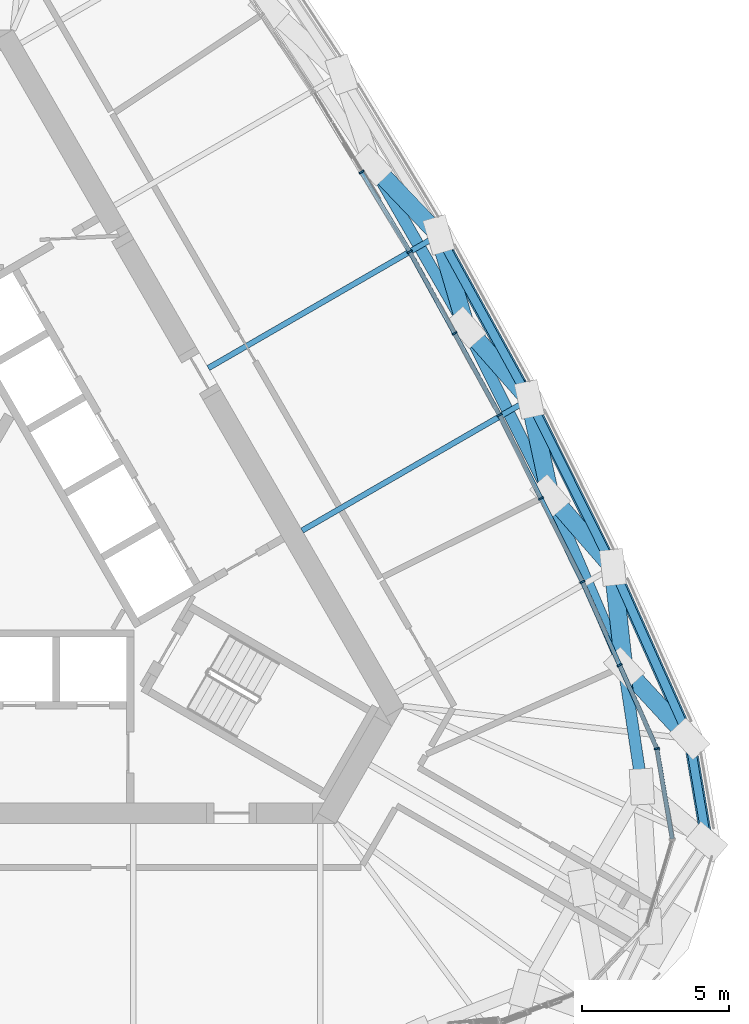
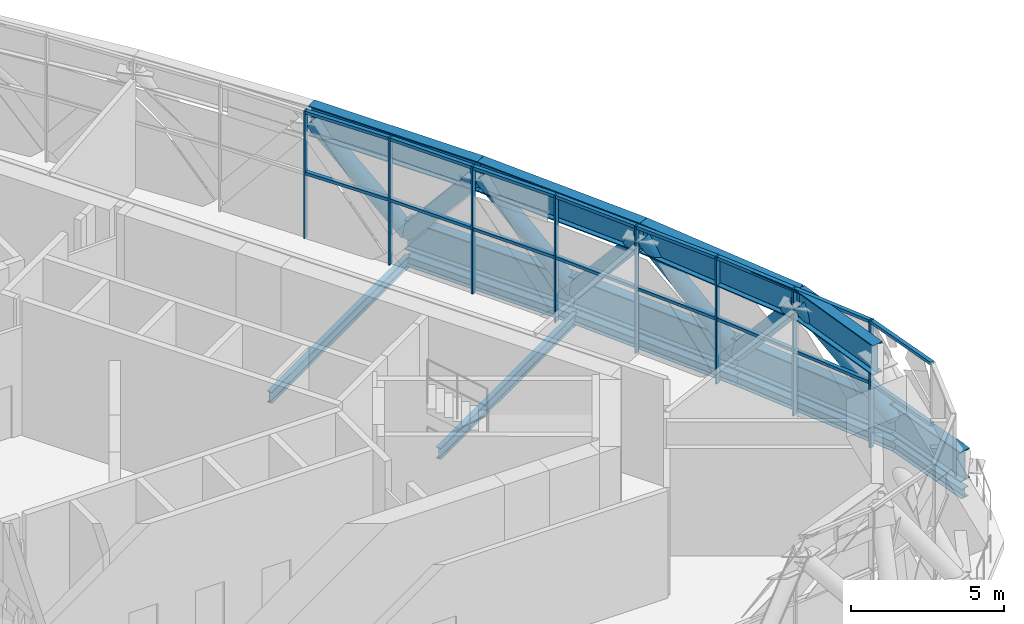
# One storey, part 6 of 33: 39 members, 6 beams, 2 elements without a shape of their own.
"""IFC4 building model written with IfcOpenShell, lengths in metres."""

from ifc_helpers import new_model, si_unit, direction, frame, origin, origin_2d, place, context, subcontext, project, spatial, rectangle, hollow_circle, i_section, extrude, material, material_profile, profile_set, type_object, element, aggregate, save


model = new_model("IFC4")

# Units and contexts
model_context = context("Model", 3, precision=1e-05, world=origin(), true_north=direction((0.0, 1.0)))
body_context = subcontext(model_context, "Body", "Model", "MODEL_VIEW")
ifc_project = project(units=[si_unit("LENGTHUNIT", "METRE"), si_unit("AREAUNIT", "SQUARE_METRE"), si_unit("VOLUMEUNIT", "CUBIC_METRE"), si_unit("PLANEANGLEUNIT", "RADIAN"), si_unit("MASSUNIT", "GRAM", prefix="KILO")], contexts=[model_context])

# Site, building, storey
site_placement = place(None, origin())
site = spatial("IfcSite", under=ifc_project, at=site_placement, CompositionType="ELEMENT")
building_placement = place(site_placement, origin())
building = spatial("IfcBuilding", under=site, at=building_placement, Name="Mestral Congress Tower", CompositionType="ELEMENT")
storey_placement = place(building_placement, frame((0.0, 0.0, 256.199951171875)))
storey = spatial("IfcBuildingStorey", under=building, at=storey_placement, Name="L60", CompositionType="ELEMENT", Elevation=256.199951171875)

# Members
ifc_material_1 = material(Name="Steel S355", Category="steel")
ifc_material_profile_1 = material_profile(ifc_material_1, i_section(OverallWidth=0.39990234375, OverallDepth=1.199951171875, WebThickness=0.02001953125, FlangeThickness=0.0400390625, FilletRadius=0.010009765625, at=origin_2d()), Name="WPG 1200")
ifc_profile_set_1 = profile_set([ifc_material_profile_1], Name="Steel S355")
member_type_1 = type_object("IfcMemberType", Name="Belt chord WPG 1200 S355", PredefinedType="CHORD", material=ifc_profile_set_1)
member_1_placement = place(storey_placement, frame((25.966552734375, -10.982421875, 0.60009765625), z_axis=(-0.167572873606, 0.985859691859, 0.0), x_axis=(-0.985859691859, -0.167572873606, 0.0)))
element("IfcMember", 1, at=member_1_placement, inside=storey, type_object=member_type_1, Name="MB-L60-BC4-SE3", PredefinedType="CHORD", context=body_context, shape_type="SweptSolid", body=[
    extrude(i_section(OverallWidth=0.39990234375, OverallDepth=1.199951171875, WebThickness=0.02001953125, FlangeThickness=0.0400390625, FilletRadius=0.010009765625, at=origin_2d()), origin(), (0.0, 0.0, 1.0), 3.566650390625),
])
member_2_placement = place(storey_placement, frame((25.368896484375, -7.46630859375, 0.60009765625), z_axis=(-0.407628118889, 0.913148025618, 0.0), x_axis=(-0.913148025618, -0.407628118889, 0.0)))
element("IfcMember", 2, at=member_2_placement, inside=storey, type_object=member_type_1, Name="MB-L60-BC4-E00", PredefinedType="CHORD", context=body_context, shape_type="SweptSolid", body=[
    extrude(i_section(OverallWidth=0.39990234375, OverallDepth=1.199951171875, WebThickness=0.02001953125, FlangeThickness=0.0400390625, FilletRadius=0.010009765625, at=origin_2d()), origin(), (0.0, 0.0, 1.0), 6.399658203125),
])
member_3_placement = place(storey_placement, frame((22.76025390625, -1.62255859375, 0.60009765625), z_axis=(-0.445137018466, 0.895462469784, 0.0), x_axis=(-0.895462469784, -0.445137018466, 0.0)))
element("IfcMember", 3, at=member_3_placement, inside=storey, type_object=member_type_1, Name="MB-L60-BC4-E01", PredefinedType="CHORD", context=body_context, shape_type="SweptSolid", body=[
    extrude(i_section(OverallWidth=0.39990234375, OverallDepth=1.199951171875, WebThickness=0.02001953125, FlangeThickness=0.0400390625, FilletRadius=0.010009765625, at=origin_2d()), origin(), (0.0, 0.0, 1.0), 6.3994140625),
])
member_4_placement = place(storey_placement, frame((19.91162109375, 4.10791015625, 0.60009765625), z_axis=(-0.481936323111, 0.876206243111, 0.0), x_axis=(-0.876206243111, -0.481936323111, 0.0)))
element("IfcMember", 4, at=member_4_placement, inside=storey, type_object=member_type_1, Name="MB-L60-BC4-E02", PredefinedType="CHORD", context=body_context, shape_type="SweptSolid", body=[
    extrude(i_section(OverallWidth=0.39990234375, OverallDepth=1.199951171875, WebThickness=0.02001953125, FlangeThickness=0.0400390625, FilletRadius=0.010009765625, at=origin_2d()), origin(), (0.0, 0.0, 1.0), 6.399658203125),
])
member_5_placement = place(storey_placement, frame((23.748046875, -9.099609375, 4.5), z_axis=(-0.14940990811, 0.988775343219, 0.0), x_axis=(-0.988775343219, -0.14940990811, 0.0)))
element("IfcMember", 5, at=member_5_placement, inside=storey, type_object=member_type_1, Name="MB-L60-TC4-SE3", PredefinedType="CHORD", context=body_context, shape_type="SweptSolid", body=[
    extrude(i_section(OverallWidth=0.39990234375, OverallDepth=1.199951171875, WebThickness=0.02001953125, FlangeThickness=0.0400390625, FilletRadius=0.010009765625, at=origin_2d()), origin(), (0.0, 0.0, 1.0), 4.096435546875),
])
for number, where, z_axis, x_axis, name in (
    (6, (23.135986328125, -5.049072265625, 4.5), (-0.393362054292, 0.919383649106, 0.0), (-0.919383649106, -0.393362054292, 0.0), "MB-L60-TC4-E00"),
    (7, (20.618896484375, 0.833984375, 4.5), (-0.447457757693, 0.89430506824, 0.0), (-0.89430506824, -0.447457757693, 0.0), "MB-L60-TC4-E01"),
    (8, (17.755615234375, 6.556640625, 4.5), (-0.499992166441, 0.866029926444, 0.0), (-0.866029926444, -0.499992166441, 0.0), "MB-L60-TC4-E02"),
):
    element("IfcMember", number, at=place(storey_placement, frame(where, z_axis=z_axis, x_axis=x_axis)), inside=storey, type_object=member_type_1, Name=name, PredefinedType="CHORD", context=body_context, shape_type="SweptSolid", body=[
        extrude(i_section(OverallWidth=0.39990234375, OverallDepth=1.199951171875, WebThickness=0.02001953125, FlangeThickness=0.0400390625, FilletRadius=0.010009765625, at=origin_2d()), origin(), (0.0, 0.0, 1.0), 6.39892578125),
    ])
ifc_material_profile_2 = material_profile(ifc_material_1, hollow_circle(Radius=0.304931640625, WallThickness=0.02490234375, at=origin_2d()), Name="CHS 610x25")
ifc_profile_set_2 = profile_set([ifc_material_profile_2], Name="Steel S355")
member_type_2 = type_object("IfcMemberType", Name="Belt diagonal CHS 610x25 S355", PredefinedType="BRACE", material=ifc_profile_set_2)
member_6_placement = place(storey_placement, frame((25.368896484375, -7.46630859375, 0.60009765625), z_axis=(-0.437588725724, 0.473711564989, 0.76427315818), x_axis=(-0.734558781973, -0.678545058067, 0.0)))
element("IfcMember", 9, at=member_6_placement, inside=storey, type_object=member_type_2, Name="MD-L60-BD4-E00.E00", PredefinedType="BRACE", context=body_context, shape_type="SweptSolid", body=[
    extrude(hollow_circle(Radius=0.304931640625, WallThickness=0.02490234375, at=origin_2d()), origin(), (0.0, 0.0, 1.0), 5.102783203125),
])
member_7_placement = place(storey_placement, frame((22.76025390625, -1.62255859375, 0.60009765625), z_axis=(0.072187645133, -0.658319427837, 0.749269293927), x_axis=(0.994041631875, 0.109001073848, 0.0)))
element("IfcMember", 10, at=member_7_placement, inside=storey, type_object=member_type_2, Name="MD-L60-BD4-E01.E00", PredefinedType="BRACE", context=body_context, shape_type="SweptSolid", body=[
    extrude(hollow_circle(Radius=0.304931640625, WallThickness=0.02490234375, at=origin_2d()), origin(), (0.0, 0.0, 1.0), 5.204833984375),
])
member_8_placement = place(storey_placement, frame((22.76025390625, -1.62255859375, 0.60009765625), z_axis=(-0.421340530526, 0.483357475562, 0.767357614254), x_axis=(-0.753809837141, -0.657092633827, 0.0)))
element("IfcMember", 11, at=member_8_placement, inside=storey, type_object=member_type_2, Name="MD-L60-BD4-E01.E01", PredefinedType="BRACE", context=body_context, shape_type="SweptSolid", body=[
    extrude(hollow_circle(Radius=0.304931640625, WallThickness=0.02490234375, at=origin_2d()), origin(), (0.0, 0.0, 1.0), 5.082275390625),
])
member_9_placement = place(storey_placement, frame((19.91162109375, 4.10791015625, 0.60009765625), z_axis=(0.137580172419, -0.636848502638, 0.758614316267), x_axis=(0.977451180246, 0.211161526411, 0.0)))
element("IfcMember", 12, at=member_9_placement, inside=storey, type_object=member_type_2, Name="MD-L60-BD4-E02.E01", PredefinedType="BRACE", context=body_context, shape_type="SweptSolid", body=[
    extrude(hollow_circle(Radius=0.304931640625, WallThickness=0.02490234375, at=origin_2d()), origin(), (0.0, 0.0, 1.0), 5.140869140625),
])
member_10_placement = place(storey_placement, frame((19.91162109375, 4.10791015625, 0.60009765625), z_axis=(-0.424020709643, 0.481590727859, 0.766992052524), x_axis=(-0.750542780077, -0.660821863496, 0.0)))
element("IfcMember", 13, at=member_10_placement, inside=storey, type_object=member_type_2, Name="MD-L60-BD4-E02.E02", PredefinedType="BRACE", context=body_context, shape_type="SweptSolid", body=[
    extrude(hollow_circle(Radius=0.304931640625, WallThickness=0.02490234375, at=origin_2d()), origin(), (0.0, 0.0, 1.0), 5.084716796875),
])
member_11_placement = place(storey_placement, frame((16.827392578125, 9.71533203125, 0.60009765625), z_axis=(0.181871052819, -0.618897338604, 0.76412630135), x_axis=(0.959431601684, 0.281941486289, 0.0)))
element("IfcMember", 14, at=member_11_placement, inside=storey, type_object=member_type_2, Name="MD-L60-BD4-E03.E02", PredefinedType="BRACE", context=body_context, shape_type="SweptSolid", body=[
    extrude(hollow_circle(Radius=0.304931640625, WallThickness=0.02490234375, at=origin_2d()), origin(), (0.0, 0.0, 1.0), 5.103759765625),
])
member_12_placement = place(storey_placement, frame((16.827392578125, 9.71533203125, 0.60009765625), z_axis=(-0.445027115684, 0.466936437299, 0.764147387503), x_axis=(-0.72388568225, -0.689919936684, 0.0)))
element("IfcMember", 15, at=member_12_placement, inside=storey, type_object=member_type_2, Name="MD-L60-BD4-E03.E03", PredefinedType="BRACE", context=body_context, shape_type="SweptSolid", body=[
    extrude(hollow_circle(Radius=0.304931640625, WallThickness=0.02490234375, at=origin_2d()), origin(), (0.0, 0.0, 1.0), 5.103515625),
])

# Curtain wall, members
ifc_material_2 = material(Name="Clear low-emissivity double glazing", Category="glass")
curtain_wall_type = type_object("IfcCurtainWallType", Name="Facade refuge band screen", PredefinedType="USERDEFINED", material=ifc_material_2)
placement = place(storey_placement, origin())
curtain_wall_1 = element("IfcCurtainWall", 16, at=placement, inside=storey, type_object=curtain_wall_type, Name="Facade refuge band screen face 2", ObjectType="CURTAIN WALL", PredefinedType="USERDEFINED")
ifc_material_3 = material(Name="Anodised aluminium", Category="aluminium")
ifc_material_profile_3 = material_profile(ifc_material_3, rectangle(XDim=0.179931640625, YDim=0.06005859375, at=origin_2d()), Name="CW3 mullion 180 x 60")
ifc_profile_set_3 = profile_set([ifc_material_profile_3], Name="Anodised aluminium")
member_type_3 = type_object("IfcMemberType", Name="Facade refuge band screen mullion", PredefinedType="MULLION", material=ifc_profile_set_3)
member_13_placement = place(storey_placement, frame((22.989501953125, -4.957763671875, 0.0), z_axis=(0.0, 0.0, 1.0), x_axis=(0.913155309071, 0.407611802473, 0.0)))
member_13 = element("IfcMember", 17, at=member_13_placement, type_object=member_type_3, Name="Facade refuge band screen mullion", PredefinedType="MULLION", context=body_context, shape_type="SweptSolid", body=[
    extrude(rectangle(XDim=0.179931640625, YDim=0.06005859375, at=origin_2d()), origin(), (0.0, 0.0, 1.0), 5.10009765625),
])
member_14_placement = place(storey_placement, frame((21.719970703125, -2.113037109375, 0.0), z_axis=(0.0, 0.0, 1.0), x_axis=(0.904500555005, 0.426472444591, 0.0)))
member_14 = element("IfcMember", 18, at=member_14_placement, type_object=member_type_3, Name="Facade refuge band screen mullion", PredefinedType="MULLION", context=body_context, shape_type="SweptSolid", body=[
    extrude(rectangle(XDim=0.179931640625, YDim=0.06005859375, at=origin_2d()), origin(), (0.0, 0.0, 1.0), 5.10009765625),
])
member_15_placement = place(storey_placement, frame((20.30615234375, 0.730712890625, 0.0), z_axis=(0.0, 0.0, 1.0), x_axis=(0.895456297142, 0.445149435481, 0.0)))
member_15 = element("IfcMember", 19, at=member_15_placement, type_object=member_type_3, Name="Facade refuge band screen mullion", PredefinedType="MULLION", context=body_context, shape_type="SweptSolid", body=[
    extrude(rectangle(XDim=0.179931640625, YDim=0.06005859375, at=origin_2d()), origin(), (0.0, 0.0, 1.0), 5.10009765625),
])
member_16_placement = place(storey_placement, frame((18.892333984375, 3.57470703125, 0.0), z_axis=(0.0, 0.0, 1.0), x_axis=(0.886025621, 0.463636278705, 0.0)))
member_16 = element("IfcMember", 20, at=member_16_placement, type_object=member_type_3, Name="Facade refuge band screen mullion", PredefinedType="MULLION", context=body_context, shape_type="SweptSolid", body=[
    extrude(rectangle(XDim=0.179931640625, YDim=0.06005859375, at=origin_2d()), origin(), (0.0, 0.0, 1.0), 5.10009765625),
])
member_17_placement = place(storey_placement, frame((17.36181640625, 6.357421875, 0.0), z_axis=(0.0, 0.0, 1.0), x_axis=(0.876214173829, 0.481921904027, 0.0)))
member_17 = element("IfcMember", 21, at=member_17_placement, type_object=member_type_3, Name="Facade refuge band screen mullion", PredefinedType="MULLION", context=body_context, shape_type="SweptSolid", body=[
    extrude(rectangle(XDim=0.179931640625, YDim=0.06005859375, at=origin_2d()), origin(), (0.0, 0.0, 1.0), 5.10009765625),
])
member_18_placement = place(storey_placement, frame((15.831298828125, 9.14013671875, 0.0), z_axis=(0.0, 0.0, 1.0), x_axis=(0.866025403784, 0.5, 0.0)))
member_18 = element("IfcMember", 22, at=member_18_placement, type_object=member_type_3, Name="Facade refuge band screen mullion", PredefinedType="MULLION", context=body_context, shape_type="SweptSolid", body=[
    extrude(rectangle(XDim=0.179931640625, YDim=0.06005859375, at=origin_2d()), origin(), (0.0, 0.0, 1.0), 5.10009765625),
])
member_19_placement = place(storey_placement, frame((14.1865234375, 11.857177734375, 0.0), z_axis=(0.0, 0.0, 1.0), x_axis=(0.855463698442, 0.517862781678, 0.0)))
member_19 = element("IfcMember", 23, at=member_19_placement, type_object=member_type_3, Name="Facade refuge band screen mullion", PredefinedType="MULLION", context=body_context, shape_type="SweptSolid", body=[
    extrude(rectangle(XDim=0.179931640625, YDim=0.06005859375, at=origin_2d()), origin(), (0.0, 0.0, 1.0), 5.10009765625),
])

# Curtain wall, member
curtain_wall_2 = element("IfcCurtainWall", 24, at=placement, inside=storey, type_object=curtain_wall_type, Name="Facade refuge band screen corner 1", ObjectType="CURTAIN WALL", PredefinedType="USERDEFINED")
member_20_placement = place(storey_placement, frame((24.259521484375, -7.802490234375, 0.0), z_axis=(0.0, 0.0, 1.0), x_axis=(0.985851883818, 0.167618803161, 0.0)))
member_20 = element("IfcMember", 25, at=member_20_placement, type_object=member_type_3, Name="Facade refuge band screen mullion", PredefinedType="MULLION", context=body_context, shape_type="SweptSolid", body=[
    extrude(rectangle(XDim=0.179931640625, YDim=0.06005859375, at=origin_2d()), origin(), (0.0, 0.0, 1.0), 5.10009765625),
])

# Member
ifc_material_profile_4 = material_profile(ifc_material_3, rectangle(XDim=0.14990234375, YDim=0.1201171875, at=origin_2d()), Name="CW3 transom 150 x 120")
ifc_profile_set_4 = profile_set([ifc_material_profile_4], Name="Anodised aluminium")
member_type_4 = type_object("IfcMemberType", Name="Facade refuge band screen transom", PredefinedType="USERDEFINED", material=ifc_profile_set_4)
member_21_placement = place(storey_placement, frame((24.247314453125, -7.77490234375, 2.60009765625), z_axis=(-0.407628233025, 0.913147974668, 0.0), x_axis=(-0.913147974668, -0.407628233025, 0.0)))
member_21 = element("IfcMember", 26, at=member_21_placement, type_object=member_type_4, Name="Facade refuge band screen transom", ObjectType="TRANSOM", PredefinedType="USERDEFINED", context=body_context, shape_type="SweptSolid", body=[
    extrude(rectangle(XDim=0.14990234375, YDim=0.1201171875, at=origin_2d()), origin(), (0.0, 0.0, 1.0), 3.05517578125),
])

member_22_placement = place(storey_placement, frame((24.247314453125, -7.77490234375, 5.0400390625), z_axis=(-0.407628233025, 0.913147974668, 0.0), x_axis=(-0.913147974668, -0.407628233025, 0.0)))
member_22 = element("IfcMember", 27, at=member_22_placement, type_object=member_type_4, Name="Facade refuge band screen transom", ObjectType="TRANSOM", PredefinedType="USERDEFINED", context=body_context, shape_type="SweptSolid", body=[
    extrude(rectangle(XDim=0.14990234375, YDim=0.1201171875, at=origin_2d()), origin(), (0.0, 0.0, 1.0), 3.05517578125),
])

member_23_placement = place(storey_placement, frame((22.977294921875, -4.930419921875, 2.60009765625), z_axis=(-0.407531856334, 0.913190991016, 0.0), x_axis=(-0.913190991016, -0.407531856334, 0.0)))
member_23 = element("IfcMember", 28, at=member_23_placement, type_object=member_type_4, Name="Facade refuge band screen transom", ObjectType="TRANSOM", PredefinedType="USERDEFINED", context=body_context, shape_type="SweptSolid", body=[
    extrude(rectangle(XDim=0.14990234375, YDim=0.1201171875, at=origin_2d()), origin(), (0.0, 0.0, 1.0), 3.05517578125),
])

member_24_placement = place(storey_placement, frame((22.977294921875, -4.930419921875, 5.0400390625), z_axis=(-0.407531856334, 0.913190991016, 0.0), x_axis=(-0.913190991016, -0.407531856334, 0.0)))
member_24 = element("IfcMember", 29, at=member_24_placement, type_object=member_type_4, Name="Facade refuge band screen transom", ObjectType="TRANSOM", PredefinedType="USERDEFINED", context=body_context, shape_type="SweptSolid", body=[
    extrude(rectangle(XDim=0.14990234375, YDim=0.1201171875, at=origin_2d()), origin(), (0.0, 0.0, 1.0), 3.05517578125),
])

member_25_placement = place(storey_placement, frame((21.70654296875, -2.086181640625, 2.60009765625), z_axis=(-0.445143785471, 0.895459105854, 0.0), x_axis=(-0.895459105854, -0.445143785471, 0.0)))
member_25 = element("IfcMember", 30, at=member_25_placement, type_object=member_type_4, Name="Facade refuge band screen transom", ObjectType="TRANSOM", PredefinedType="USERDEFINED", context=body_context, shape_type="SweptSolid", body=[
    extrude(rectangle(XDim=0.14990234375, YDim=0.1201171875, at=origin_2d()), origin(), (0.0, 0.0, 1.0), 3.11572265625),
])

member_26_placement = place(storey_placement, frame((21.70654296875, -2.086181640625, 5.0400390625), z_axis=(-0.445143785471, 0.895459105854, 0.0), x_axis=(-0.895459105854, -0.445143785471, 0.0)))
member_26 = element("IfcMember", 31, at=member_26_placement, type_object=member_type_4, Name="Facade refuge band screen transom", ObjectType="TRANSOM", PredefinedType="USERDEFINED", context=body_context, shape_type="SweptSolid", body=[
    extrude(rectangle(XDim=0.14990234375, YDim=0.1201171875, at=origin_2d()), origin(), (0.0, 0.0, 1.0), 3.11572265625),
])

member_27_placement = place(storey_placement, frame((20.292724609375, 0.757568359375, 2.60009765625), z_axis=(-0.445112553823, 0.895474630813, 0.0), x_axis=(-0.895474630813, -0.445112553823, 0.0)))
member_27 = element("IfcMember", 32, at=member_27_placement, type_object=member_type_4, Name="Facade refuge band screen transom", ObjectType="TRANSOM", PredefinedType="USERDEFINED", context=body_context, shape_type="SweptSolid", body=[
    extrude(rectangle(XDim=0.14990234375, YDim=0.1201171875, at=origin_2d()), origin(), (0.0, 0.0, 1.0), 3.115966796875),
])

member_28_placement = place(storey_placement, frame((20.292724609375, 0.757568359375, 5.0400390625), z_axis=(-0.445112553823, 0.895474630813, 0.0), x_axis=(-0.895474630813, -0.445112553823, 0.0)))
member_28 = element("IfcMember", 33, at=member_28_placement, type_object=member_type_4, Name="Facade refuge band screen transom", ObjectType="TRANSOM", PredefinedType="USERDEFINED", context=body_context, shape_type="SweptSolid", body=[
    extrude(rectangle(XDim=0.14990234375, YDim=0.1201171875, at=origin_2d()), origin(), (0.0, 0.0, 1.0), 3.115966796875),
])

member_29_placement = place(storey_placement, frame((18.8779296875, 3.600830078125, 2.60009765625), z_axis=(-0.481939803767, 0.87620432865, 0.0), x_axis=(-0.87620432865, -0.481939803767, 0.0)))
member_29 = element("IfcMember", 34, at=member_29_placement, type_object=member_type_4, Name="Facade refuge band screen transom", ObjectType="TRANSOM", PredefinedType="USERDEFINED", context=body_context, shape_type="SweptSolid", body=[
    extrude(rectangle(XDim=0.14990234375, YDim=0.1201171875, at=origin_2d()), origin(), (0.0, 0.0, 1.0), 3.115966796875),
])

member_30_placement = place(storey_placement, frame((18.8779296875, 3.600830078125, 5.0400390625), z_axis=(-0.481939803767, 0.87620432865, 0.0), x_axis=(-0.87620432865, -0.481939803767, 0.0)))
member_30 = element("IfcMember", 35, at=member_30_placement, type_object=member_type_4, Name="Facade refuge band screen transom", ObjectType="TRANSOM", PredefinedType="USERDEFINED", context=body_context, shape_type="SweptSolid", body=[
    extrude(rectangle(XDim=0.14990234375, YDim=0.1201171875, at=origin_2d()), origin(), (0.0, 0.0, 1.0), 3.115966796875),
])

member_31_placement = place(storey_placement, frame((17.347412109375, 6.3837890625, 2.60009765625), z_axis=(-0.481939803767, 0.87620432865, 0.0), x_axis=(-0.87620432865, -0.481939803767, 0.0)))
member_31 = element("IfcMember", 36, at=member_31_placement, type_object=member_type_4, Name="Facade refuge band screen transom", ObjectType="TRANSOM", PredefinedType="USERDEFINED", context=body_context, shape_type="SweptSolid", body=[
    extrude(rectangle(XDim=0.14990234375, YDim=0.1201171875, at=origin_2d()), origin(), (0.0, 0.0, 1.0), 3.115966796875),
])

member_32_placement = place(storey_placement, frame((17.347412109375, 6.3837890625, 5.0400390625), z_axis=(-0.481939803767, 0.87620432865, 0.0), x_axis=(-0.87620432865, -0.481939803767, 0.0)))
member_32 = element("IfcMember", 37, at=member_32_placement, type_object=member_type_4, Name="Facade refuge band screen transom", ObjectType="TRANSOM", PredefinedType="USERDEFINED", context=body_context, shape_type="SweptSolid", body=[
    extrude(rectangle(XDim=0.14990234375, YDim=0.1201171875, at=origin_2d()), origin(), (0.0, 0.0, 1.0), 3.115966796875),
])

member_33_placement = place(storey_placement, frame((15.815673828125, 9.166015625, 2.60009765625), z_axis=(-0.517879647007, 0.855453488634, 0.0), x_axis=(-0.855453488634, -0.517879647007, 0.0)))
member_33 = element("IfcMember", 38, at=member_33_placement, type_object=member_type_4, Name="Facade refuge band screen transom", ObjectType="TRANSOM", PredefinedType="USERDEFINED", context=body_context, shape_type="SweptSolid", body=[
    extrude(rectangle(XDim=0.14990234375, YDim=0.1201171875, at=origin_2d()), origin(), (0.0, 0.0, 1.0), 3.11572265625),
])

member_34_placement = place(storey_placement, frame((15.815673828125, 9.166015625, 5.0400390625), z_axis=(-0.517879647007, 0.855453488634, 0.0), x_axis=(-0.855453488634, -0.517879647007, 0.0)))
member_34 = element("IfcMember", 39, at=member_34_placement, type_object=member_type_4, Name="Facade refuge band screen transom", ObjectType="TRANSOM", PredefinedType="USERDEFINED", context=body_context, shape_type="SweptSolid", body=[
    extrude(rectangle(XDim=0.14990234375, YDim=0.1201171875, at=origin_2d()), origin(), (0.0, 0.0, 1.0), 3.11572265625),
])

aggregate(curtain_wall_1, [member_13, member_14, member_15, member_16, member_17, member_18, member_19, member_21, member_22, member_23, member_24, member_25, member_26, member_27, member_28, member_29, member_30, member_31, member_32, member_33, member_34])

member_35_placement = place(storey_placement, frame((24.78271484375, -10.87939453125, 2.60009765625), z_axis=(-0.167676861775, 0.985842010682, 0.0), x_axis=(-0.985842010682, -0.167676861775, 0.0)))
member_35 = element("IfcMember", 40, at=member_35_placement, type_object=member_type_4, Name="Facade refuge band screen transom", ObjectType="TRANSOM", PredefinedType="USERDEFINED", context=body_context, shape_type="SweptSolid", body=[
    extrude(rectangle(XDim=0.14990234375, YDim=0.1201171875, at=origin_2d()), origin(), (0.0, 0.0, 1.0), 3.091064453125),
])

member_36_placement = place(storey_placement, frame((24.78271484375, -10.87939453125, 5.0400390625), z_axis=(-0.167676861775, 0.985842010682, 0.0), x_axis=(-0.985842010682, -0.167676861775, 0.0)))
member_36 = element("IfcMember", 41, at=member_36_placement, type_object=member_type_4, Name="Facade refuge band screen transom", ObjectType="TRANSOM", PredefinedType="USERDEFINED", context=body_context, shape_type="SweptSolid", body=[
    extrude(rectangle(XDim=0.14990234375, YDim=0.1201171875, at=origin_2d()), origin(), (0.0, 0.0, 1.0), 3.091064453125),
])

aggregate(curtain_wall_2, [member_20, member_35, member_36])

# Beams
ifc_material_profile_5 = material_profile(ifc_material_1, i_section(OverallWidth=0.18994140625, OverallDepth=0.449951171875, WebThickness=0.009521484375, FlangeThickness=0.0146484375, FilletRadius=0.02099609375, at=origin_2d()), Name="IPE 450")
ifc_profile_set_5 = profile_set([ifc_material_profile_5], Name="Steel S355")
beam_type_1 = type_object("IfcBeamType", Name="Floor beam IPE 450 S355", PredefinedType="BEAM", material=ifc_profile_set_5)
beam_1_placement = place(storey_placement, frame((19.91162109375, 4.10791015625, -0.52490234375), z_axis=(-0.866033377201, -0.499986189383, 0.0), x_axis=(0.499986189383, -0.866033377201, 0.0)))
element("IfcBeam", 42, at=beam_1_placement, inside=storey, type_object=beam_type_1, Name="BM-L60-RB4-E02", PredefinedType="BEAM", context=body_context, shape_type="SweptSolid", body=[
    extrude(i_section(OverallWidth=0.18994140625, OverallDepth=0.449951171875, WebThickness=0.009521484375, FlangeThickness=0.0146484375, FilletRadius=0.02099609375, at=origin_2d()), origin(), (0.0, 0.0, 1.0), 8.947998046875),
])
beam_2_placement = place(storey_placement, frame((16.827392578125, 9.71533203125, -0.52490234375), z_axis=(-0.866025747466, -0.499999404726, 0.0), x_axis=(0.499999404726, -0.866025747466, 0.0)))
element("IfcBeam", 43, at=beam_2_placement, inside=storey, type_object=beam_type_1, Name="BM-L60-RB4-E03", PredefinedType="BEAM", context=body_context, shape_type="SweptSolid", body=[
    extrude(i_section(OverallWidth=0.18994140625, OverallDepth=0.449951171875, WebThickness=0.009521484375, FlangeThickness=0.0146484375, FilletRadius=0.02099609375, at=origin_2d()), origin(), (0.0, 0.0, 1.0), 9.08056640625),
])
ifc_material_profile_6 = material_profile(ifc_material_1, i_section(OverallWidth=0.300048828125, OverallDepth=0.389892578125, WebThickness=0.010986328125, FlangeThickness=0.01904296875, FilletRadius=0.027099609375, at=origin_2d()), Name="HEA 400")
ifc_profile_set_6 = profile_set([ifc_material_profile_6], Name="Steel S355")
beam_type_2 = type_object("IfcBeamType", Name="Spandrel beam HEA 400 S355", PredefinedType="BEAM", material=ifc_profile_set_6)
beam_3_placement = place(storey_placement, frame((25.966552734375, -10.982421875, -0.494873046875), z_axis=(-0.167572873606, 0.985859691859, 0.0), x_axis=(-0.985859691859, -0.167572873606, 0.0)))
element("IfcBeam", 44, at=beam_3_placement, inside=storey, type_object=beam_type_2, Name="SP-L60-SB4-SE3", PredefinedType="BEAM", context=body_context, shape_type="SweptSolid", body=[
    extrude(i_section(OverallWidth=0.300048828125, OverallDepth=0.389892578125, WebThickness=0.010986328125, FlangeThickness=0.01904296875, FilletRadius=0.027099609375, at=origin_2d()), origin(), (0.0, 0.0, 1.0), 3.566650390625),
])
beam_4_placement = place(storey_placement, frame((25.368896484375, -7.46630859375, -0.494873046875), z_axis=(-0.407628118889, 0.913148025618, 0.0), x_axis=(-0.913148025618, -0.407628118889, 0.0)))
element("IfcBeam", 45, at=beam_4_placement, inside=storey, type_object=beam_type_2, Name="SP-L60-SB4-E00", PredefinedType="BEAM", context=body_context, shape_type="SweptSolid", body=[
    extrude(i_section(OverallWidth=0.300048828125, OverallDepth=0.389892578125, WebThickness=0.010986328125, FlangeThickness=0.01904296875, FilletRadius=0.027099609375, at=origin_2d()), origin(), (0.0, 0.0, 1.0), 6.399658203125),
])
beam_5_placement = place(storey_placement, frame((22.76025390625, -1.62255859375, -0.494873046875), z_axis=(-0.445137018466, 0.895462469784, 0.0), x_axis=(-0.895462469784, -0.445137018466, 0.0)))
element("IfcBeam", 46, at=beam_5_placement, inside=storey, type_object=beam_type_2, Name="SP-L60-SB4-E01", PredefinedType="BEAM", context=body_context, shape_type="SweptSolid", body=[
    extrude(i_section(OverallWidth=0.300048828125, OverallDepth=0.389892578125, WebThickness=0.010986328125, FlangeThickness=0.01904296875, FilletRadius=0.027099609375, at=origin_2d()), origin(), (0.0, 0.0, 1.0), 6.3994140625),
])
beam_6_placement = place(storey_placement, frame((19.91162109375, 4.10791015625, -0.494873046875), z_axis=(-0.481936323111, 0.876206243111, 0.0), x_axis=(-0.876206243111, -0.481936323111, 0.0)))
element("IfcBeam", 47, at=beam_6_placement, inside=storey, type_object=beam_type_2, Name="SP-L60-SB4-E02", PredefinedType="BEAM", context=body_context, shape_type="SweptSolid", body=[
    extrude(i_section(OverallWidth=0.300048828125, OverallDepth=0.389892578125, WebThickness=0.010986328125, FlangeThickness=0.01904296875, FilletRadius=0.027099609375, at=origin_2d()), origin(), (0.0, 0.0, 1.0), 6.399658203125),
])

save(model, "model.ifc")
